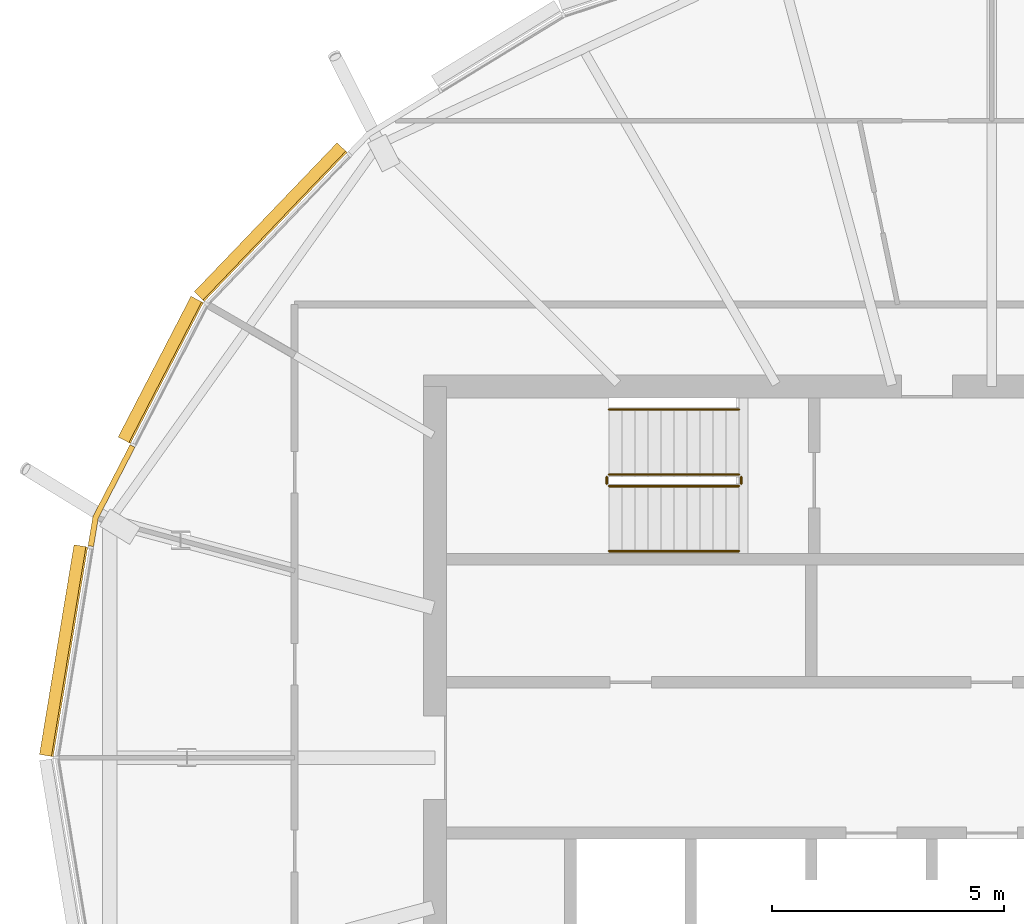
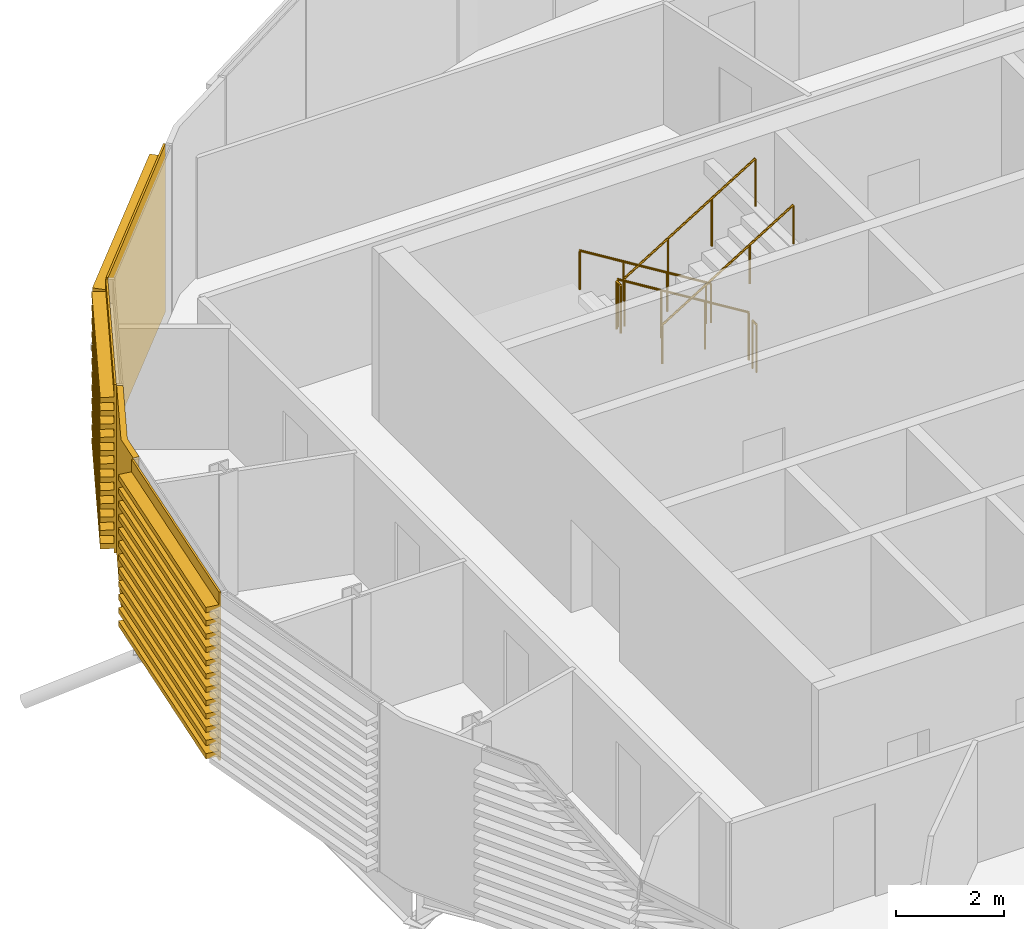
# One storey, part 33 of 36: 6 railings, 4 coverings.
"""IFC4 building model written with IfcOpenShell, lengths in metres."""

from ifc_helpers import new_model, si_unit, direction, frame, origin, origin_2d, place, context, subcontext, project, spatial, polyline, circle, outline, extrude, material, layer, layer_set, material_profile, profile_set, type_object, element, save


model = new_model("IFC4")

# Units and contexts
model_context = context("Model", 3, precision=1e-05, world=origin(), true_north=direction((0.0, 1.0)))
body_context = subcontext(model_context, "Body", "Model", "MODEL_VIEW")
ifc_project = project(units=[si_unit("LENGTHUNIT", "METRE"), si_unit("AREAUNIT", "SQUARE_METRE"), si_unit("VOLUMEUNIT", "CUBIC_METRE"), si_unit("PLANEANGLEUNIT", "RADIAN"), si_unit("MASSUNIT", "GRAM", prefix="KILO")], contexts=[model_context])

# Site, building, storey
site_placement = place(None, origin())
site = spatial("IfcSite", under=ifc_project, at=site_placement, CompositionType="ELEMENT")
building_placement = place(site_placement, origin())
building = spatial("IfcBuilding", under=site, at=building_placement, Name="Rimbun Link Towers", CompositionType="ELEMENT")
storey_placement = place(building_placement, frame((0.0, 0.0, 248.5)))
storey = spatial("IfcBuildingStorey", under=building, at=storey_placement, Name="L61", CompositionType="ELEMENT", Elevation=248.5)

# Covering
ifc_material_1 = material(Name="Terracotta", Category="masonry")
ifc_layer = layer(ifc_material_1, 0.1201171875)
ifc_layer_set = layer_set([ifc_layer], Name="LINK PIER terracotta cladding 120")
covering_type_1 = type_object("IfcCoveringType", Name="LINK PIER terracotta cladding 120", PredefinedType="CLADDING", material=ifc_layer_set)
covering_1_placement = place(storey_placement, origin())
element("IfcCovering", 1, at=covering_1_placement, inside=storey, type_object=covering_type_1, Name="LINK PIER cladding", PredefinedType="CLADDING", context=body_context, shape_type="SweptSolid", body=[
    extrude(outline(polyline([(-51.109619140625, 4.548828125), (-51.009033203125, 5.160400390625), (-50.21875, 6.688232421875), (-50.3251953125, 6.7431640625), (-51.12451171875, 5.19873046875), (-51.22802734375, 4.568115234375), (-51.109619140625, 4.548828125)])), origin(), (0.0, 0.0, 1.0), 3.800048828125),
])

# Railings
ifc_material_2 = material(Name="Stainless steel grade 316", Category="steel")
railing_type_1 = type_object("IfcRailingType", Name="Stair guard", PredefinedType="GUARDRAIL", material=ifc_material_2)
railing_1_placement = place(storey_placement, frame((-37.199951171875, 6.10009765625, 0.172607421875)))
element("IfcRailing", 2, at=railing_1_placement, inside=storey, type_object=railing_type_1, Name="L61 ST1 stair guard 1", PredefinedType="GUARDRAIL", context=body_context, shape_type="SweptSolid", body=[
    extrude(circle(Radius=0.02392578125, at=origin_2d()), frame((0.0, 0.0, 1.076171875), z_axis=(-0.851089632645, 0.0, 0.525020415988), x_axis=(0.0, -1.0, 0.0)), (0.0, 0.0, 1.0), 3.2900390625),
    extrude(circle(Radius=0.02099609375, at=origin_2d()), origin(), (0.0, 0.0, 1.0), 1.052001953125),
    extrude(circle(Radius=0.02099609375, at=origin_2d()), frame((-0.933349609375, 0.0, 0.57568359375)), (0.0, 0.0, 1.0), 1.052001953125),
    extrude(circle(Radius=0.02099609375, at=origin_2d()), frame((-1.86669921875, 0.0, 1.151611328125)), (0.0, 0.0, 1.0), 1.052001953125),
    extrude(circle(Radius=0.02099609375, at=origin_2d()), frame((-2.800048828125, 0.0, 1.727294921875)), (0.0, 0.0, 1.0), 1.052001953125),
])
railing_2_placement = place(storey_placement, frame((-40.050048828125, 6.050048828125, 1.89990234375)))
element("IfcRailing", 3, at=railing_2_placement, inside=storey, type_object=railing_type_1, Name="L61 ST1 stair guard 2", PredefinedType="GUARDRAIL", context=body_context, shape_type="SweptSolid", body=[
    extrude(circle(Radius=0.02392578125, at=origin_2d()), frame((0.0, 0.0, 1.076171875), z_axis=(0.0, -1.0, 0.0), x_axis=(1.0, 0.0, 0.0)), (0.0, 0.0, 1.0), 0.150146484375),
    extrude(circle(Radius=0.02099609375, at=origin_2d()), origin(), (0.0, 0.0, 1.0), 1.052001953125),
    extrude(circle(Radius=0.02099609375, at=origin_2d()), frame((0.0, -0.150146484375, 0.0)), (0.0, 0.0, 1.0), 1.052001953125),
])
railing_3_placement = place(storey_placement, frame((-40.0, 5.85009765625, 2.07275390625)))
element("IfcRailing", 4, at=railing_3_placement, inside=storey, type_object=railing_type_1, Name="L61 ST1 stair guard 3", PredefinedType="GUARDRAIL", context=body_context, shape_type="SweptSolid", body=[
    extrude(circle(Radius=0.02392578125, at=origin_2d()), frame((0.0, 0.0, 1.076171875), z_axis=(0.851089632645, 0.0, 0.525020415988), x_axis=(0.0, 1.0, 0.0)), (0.0, 0.0, 1.0), 3.2900390625),
    extrude(circle(Radius=0.02099609375, at=origin_2d()), origin(), (0.0, 0.0, 1.0), 1.052001953125),
    extrude(circle(Radius=0.02099609375, at=origin_2d()), frame((0.933349609375, 0.0, 0.57568359375)), (0.0, 0.0, 1.0), 1.052001953125),
    extrude(circle(Radius=0.02099609375, at=origin_2d()), frame((1.86669921875, 0.0, 1.151611328125)), (0.0, 0.0, 1.0), 1.052001953125),
    extrude(circle(Radius=0.02099609375, at=origin_2d()), frame((2.800048828125, 0.0, 1.727294921875)), (0.0, 0.0, 1.0), 1.052001953125),
])
railing_4_placement = place(storey_placement, frame((-37.14990234375, 6.050048828125, 0.0)))
element("IfcRailing", 5, at=railing_4_placement, inside=storey, type_object=railing_type_1, Name="L61 ST1 stair guard 4", PredefinedType="GUARDRAIL", context=body_context, shape_type="SweptSolid", body=[
    extrude(circle(Radius=0.02392578125, at=origin_2d()), frame((0.0, 0.0, 1.076171875), z_axis=(0.0, -1.0, 0.0), x_axis=(1.0, 0.0, 0.0)), (0.0, 0.0, 1.0), 0.150146484375),
    extrude(circle(Radius=0.02099609375, at=origin_2d()), origin(), (0.0, 0.0, 1.0), 1.052001953125),
    extrude(circle(Radius=0.02099609375, at=origin_2d()), frame((0.0, -0.150146484375, 0.0)), (0.0, 0.0, 1.0), 1.052001953125),
])
ifc_material_3 = material(Name="Stainless steel grade 316", Category="steel")
railing_type_2 = type_object("IfcRailingType", Name="Stair handrail", PredefinedType="HANDRAIL", material=ifc_material_3)
railing_5_placement = place(storey_placement, frame((-37.199951171875, 7.5, 0.172607421875)))
element("IfcRailing", 6, at=railing_5_placement, inside=storey, type_object=railing_type_2, Name="L61 ST1 stair handrail 1", PredefinedType="HANDRAIL", context=body_context, shape_type="SweptSolid", body=[
    extrude(circle(Radius=0.02392578125, at=origin_2d()), frame((0.0, 0.0, 0.8759765625), z_axis=(-0.851089632645, 0.0, 0.525020415988), x_axis=(0.0, -1.0, 0.0)), (0.0, 0.0, 1.0), 3.2900390625),
    extrude(circle(Radius=0.02099609375, at=origin_2d()), origin(), (0.0, 0.0, 1.0), 0.851806640625),
    extrude(circle(Radius=0.02099609375, at=origin_2d()), frame((-0.933349609375, 0.0, 0.57568359375)), (0.0, 0.0, 1.0), 0.851806640625),
    extrude(circle(Radius=0.02099609375, at=origin_2d()), frame((-1.86669921875, 0.0, 1.151611328125)), (0.0, 0.0, 1.0), 0.851806640625),
    extrude(circle(Radius=0.02099609375, at=origin_2d()), frame((-2.800048828125, 0.0, 1.727294921875)), (0.0, 0.0, 1.0), 0.851806640625),
])
railing_6_placement = place(storey_placement, frame((-40.0, 4.449951171875, 2.07275390625)))
element("IfcRailing", 7, at=railing_6_placement, inside=storey, type_object=railing_type_2, Name="L61 ST1 stair handrail 2", PredefinedType="HANDRAIL", context=body_context, shape_type="SweptSolid", body=[
    extrude(circle(Radius=0.02392578125, at=origin_2d()), frame((0.0, 0.0, 0.8759765625), z_axis=(0.851089632645, 0.0, 0.525020415988), x_axis=(0.0, 1.0, 0.0)), (0.0, 0.0, 1.0), 3.2900390625),
    extrude(circle(Radius=0.02099609375, at=origin_2d()), origin(), (0.0, 0.0, 1.0), 0.851806640625),
    extrude(circle(Radius=0.02099609375, at=origin_2d()), frame((0.933349609375, 0.0, 0.57568359375)), (0.0, 0.0, 1.0), 0.851806640625),
    extrude(circle(Radius=0.02099609375, at=origin_2d()), frame((1.86669921875, 0.0, 1.151611328125)), (0.0, 0.0, 1.0), 0.851806640625),
    extrude(circle(Radius=0.02099609375, at=origin_2d()), frame((2.800048828125, 0.0, 1.727294921875)), (0.0, 0.0, 1.0), 0.851806640625),
])

# Coverings
ifc_material_4 = material(Name="Terracotta", Category="masonry")
ifc_material_profile = material_profile(ifc_material_4, outline(polyline([(0.123046875, 0.0), (0.1630859375, 0.0), (0.1630859375, 0.10009765625), (0.423095703125, 0.10009765625), (0.423095703125, 0.219970703125), (0.1630859375, 0.219970703125), (0.1630859375, 0.39990234375), (0.423095703125, 0.39990234375), (0.423095703125, 0.52001953125), (0.1630859375, 0.52001953125), (0.1630859375, 0.699951171875), (0.423095703125, 0.699951171875), (0.423095703125, 0.820068359375), (0.1630859375, 0.820068359375), (0.1630859375, 1.0), (0.423095703125, 1.0), (0.423095703125, 1.1201171875), (0.1630859375, 1.1201171875), (0.1630859375, 1.300048828125), (0.423095703125, 1.300048828125), (0.423095703125, 1.419921875), (0.1630859375, 1.419921875), (0.1630859375, 1.60009765625), (0.423095703125, 1.60009765625), (0.423095703125, 1.719970703125), (0.1630859375, 1.719970703125), (0.1630859375, 1.89990234375), (0.423095703125, 1.89990234375), (0.423095703125, 2.02001953125), (0.1630859375, 2.02001953125), (0.1630859375, 2.199951171875), (0.423095703125, 2.199951171875), (0.423095703125, 2.320068359375), (0.1630859375, 2.320068359375), (0.1630859375, 2.5), (0.423095703125, 2.5), (0.423095703125, 2.6201171875), (0.1630859375, 2.6201171875), (0.1630859375, 2.800048828125), (0.423095703125, 2.800048828125), (0.423095703125, 2.919921875), (0.1630859375, 2.919921875), (0.1630859375, 3.10009765625), (0.423095703125, 3.10009765625), (0.423095703125, 3.219970703125), (0.1630859375, 3.219970703125), (0.1630859375, 3.39990234375), (0.423095703125, 3.39990234375), (0.423095703125, 3.52001953125), (0.1630859375, 3.52001953125), (0.1630859375, 3.800048828125), (0.123046875, 3.800048828125), (0.123046875, 0.0)])), Name="BAGUETTE 120X300")
ifc_profile_set = profile_set([ifc_material_profile], Name="Terracotta")
covering_type_2 = type_object("IfcCoveringType", Name="TERRACOTTA BAGUETTE 120X300 H3800", PredefinedType="CLADDING", material=ifc_profile_set)
covering_2_placement = place(storey_placement, frame((-48.635009765625, 9.74853515625, 0.0), z_axis=(0.692017431912, 0.721880789279, 0.0), x_axis=(-0.721880789279, 0.692017431912, 0.0)))
element("IfcCovering", 8, at=covering_2_placement, inside=storey, type_object=covering_type_2, Name="TERRACOTTA BAGUETTE", PredefinedType="CLADDING", context=body_context, shape_type="SweptSolid", body=[
    extrude(outline(polyline([(0.123046875, 0.0), (0.1630859375, 0.0), (0.1630859375, 0.10009765625), (0.423095703125, 0.10009765625), (0.423095703125, 0.219970703125), (0.1630859375, 0.219970703125), (0.1630859375, 0.39990234375), (0.423095703125, 0.39990234375), (0.423095703125, 0.52001953125), (0.1630859375, 0.52001953125), (0.1630859375, 0.699951171875), (0.423095703125, 0.699951171875), (0.423095703125, 0.820068359375), (0.1630859375, 0.820068359375), (0.1630859375, 1.0), (0.423095703125, 1.0), (0.423095703125, 1.1201171875), (0.1630859375, 1.1201171875), (0.1630859375, 1.300048828125), (0.423095703125, 1.300048828125), (0.423095703125, 1.419921875), (0.1630859375, 1.419921875), (0.1630859375, 1.60009765625), (0.423095703125, 1.60009765625), (0.423095703125, 1.719970703125), (0.1630859375, 1.719970703125), (0.1630859375, 1.89990234375), (0.423095703125, 1.89990234375), (0.423095703125, 2.02001953125), (0.1630859375, 2.02001953125), (0.1630859375, 2.199951171875), (0.423095703125, 2.199951171875), (0.423095703125, 2.320068359375), (0.1630859375, 2.320068359375), (0.1630859375, 2.5), (0.423095703125, 2.5), (0.423095703125, 2.6201171875), (0.1630859375, 2.6201171875), (0.1630859375, 2.800048828125), (0.423095703125, 2.800048828125), (0.423095703125, 2.919921875), (0.1630859375, 2.919921875), (0.1630859375, 3.10009765625), (0.423095703125, 3.10009765625), (0.423095703125, 3.219970703125), (0.1630859375, 3.219970703125), (0.1630859375, 3.39990234375), (0.423095703125, 3.39990234375), (0.423095703125, 3.52001953125), (0.1630859375, 3.52001953125), (0.1630859375, 3.800048828125), (0.123046875, 3.800048828125), (0.123046875, 0.0)])), origin(), (0.0, 0.0, 1.0), 4.447265625),
])
covering_3_placement = place(storey_placement, frame((-50.204833984375, 6.71484375, 0.0), z_axis=(0.459578465218, 0.888137170885, 0.0), x_axis=(-0.888137170885, 0.459578465218, 0.0)))
element("IfcCovering", 9, at=covering_3_placement, inside=storey, type_object=covering_type_2, Name="TERRACOTTA BAGUETTE", PredefinedType="CLADDING", context=body_context, shape_type="SweptSolid", body=[
    extrude(outline(polyline([(0.123046875, 0.0), (0.1630859375, 0.0), (0.1630859375, 0.10009765625), (0.423095703125, 0.10009765625), (0.423095703125, 0.219970703125), (0.1630859375, 0.219970703125), (0.1630859375, 0.39990234375), (0.423095703125, 0.39990234375), (0.423095703125, 0.52001953125), (0.1630859375, 0.52001953125), (0.1630859375, 0.699951171875), (0.423095703125, 0.699951171875), (0.423095703125, 0.820068359375), (0.1630859375, 0.820068359375), (0.1630859375, 1.0), (0.423095703125, 1.0), (0.423095703125, 1.1201171875), (0.1630859375, 1.1201171875), (0.1630859375, 1.300048828125), (0.423095703125, 1.300048828125), (0.423095703125, 1.419921875), (0.1630859375, 1.419921875), (0.1630859375, 1.60009765625), (0.423095703125, 1.60009765625), (0.423095703125, 1.719970703125), (0.1630859375, 1.719970703125), (0.1630859375, 1.89990234375), (0.423095703125, 1.89990234375), (0.423095703125, 2.02001953125), (0.1630859375, 2.02001953125), (0.1630859375, 2.199951171875), (0.423095703125, 2.199951171875), (0.423095703125, 2.320068359375), (0.1630859375, 2.320068359375), (0.1630859375, 2.5), (0.423095703125, 2.5), (0.423095703125, 2.6201171875), (0.1630859375, 2.6201171875), (0.1630859375, 2.800048828125), (0.423095703125, 2.800048828125), (0.423095703125, 2.919921875), (0.1630859375, 2.919921875), (0.1630859375, 3.10009765625), (0.423095703125, 3.10009765625), (0.423095703125, 3.219970703125), (0.1630859375, 3.219970703125), (0.1630859375, 3.39990234375), (0.423095703125, 3.39990234375), (0.423095703125, 3.52001953125), (0.1630859375, 3.52001953125), (0.1630859375, 3.800048828125), (0.123046875, 3.800048828125), (0.123046875, 0.0)])), origin(), (0.0, 0.0, 1.0), 3.415771484375),
])
covering_4_placement = place(storey_placement, frame((-51.857666015625, 0.0, 0.0), z_axis=(0.162272015978, 0.986746062992, 0.0), x_axis=(-0.986746062992, 0.162272015978, 0.0)))
element("IfcCovering", 10, at=covering_4_placement, inside=storey, type_object=covering_type_2, Name="TERRACOTTA BAGUETTE", PredefinedType="CLADDING", context=body_context, shape_type="SweptSolid", body=[
    extrude(outline(polyline([(0.123046875, 0.0), (0.1630859375, 0.0), (0.1630859375, 0.10009765625), (0.423095703125, 0.10009765625), (0.423095703125, 0.219970703125), (0.1630859375, 0.219970703125), (0.1630859375, 0.39990234375), (0.423095703125, 0.39990234375), (0.423095703125, 0.52001953125), (0.1630859375, 0.52001953125), (0.1630859375, 0.699951171875), (0.423095703125, 0.699951171875), (0.423095703125, 0.820068359375), (0.1630859375, 0.820068359375), (0.1630859375, 1.0), (0.423095703125, 1.0), (0.423095703125, 1.1201171875), (0.1630859375, 1.1201171875), (0.1630859375, 1.300048828125), (0.423095703125, 1.300048828125), (0.423095703125, 1.419921875), (0.1630859375, 1.419921875), (0.1630859375, 1.60009765625), (0.423095703125, 1.60009765625), (0.423095703125, 1.719970703125), (0.1630859375, 1.719970703125), (0.1630859375, 1.89990234375), (0.423095703125, 1.89990234375), (0.423095703125, 2.02001953125), (0.1630859375, 2.02001953125), (0.1630859375, 2.199951171875), (0.423095703125, 2.199951171875), (0.423095703125, 2.320068359375), (0.1630859375, 2.320068359375), (0.1630859375, 2.5), (0.423095703125, 2.5), (0.423095703125, 2.6201171875), (0.1630859375, 2.6201171875), (0.1630859375, 2.800048828125), (0.423095703125, 2.800048828125), (0.423095703125, 2.919921875), (0.1630859375, 2.919921875), (0.1630859375, 3.10009765625), (0.423095703125, 3.10009765625), (0.423095703125, 3.219970703125), (0.1630859375, 3.219970703125), (0.1630859375, 3.39990234375), (0.423095703125, 3.39990234375), (0.423095703125, 3.52001953125), (0.1630859375, 3.52001953125), (0.1630859375, 3.800048828125), (0.123046875, 3.800048828125), (0.123046875, 0.0)])), origin(), (0.0, 0.0, 1.0), 4.579833984375),
])

save(model, "model.ifc")
